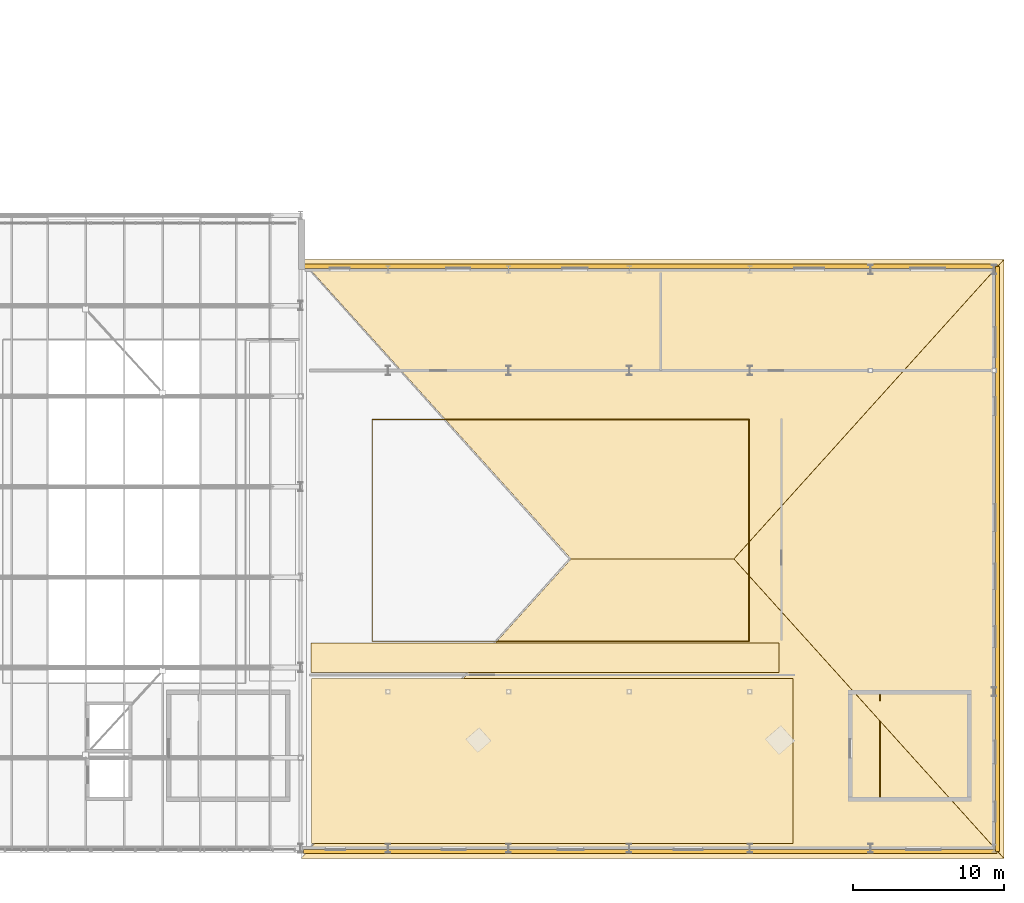
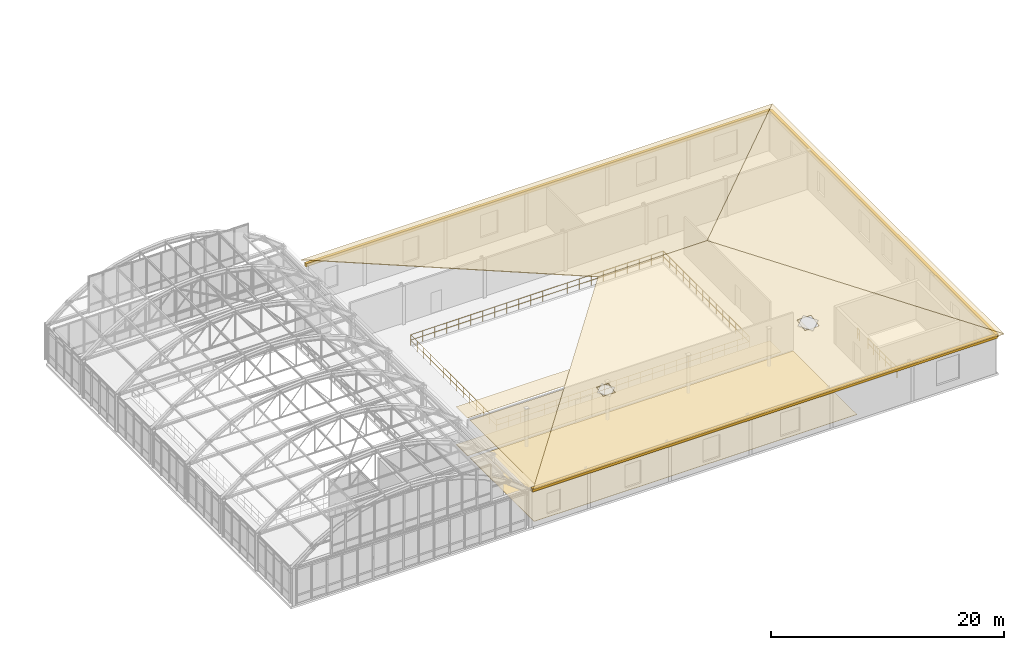
# One storey, part 148 of 148: 10 coverings, 4 railings, 2 openings.
"""IFC4 building model written with IfcOpenShell, lengths in metres."""

from ifc_helpers import new_model, si_unit, direction, frame, origin, origin_2d, place, context, subcontext, project, spatial, polyline, rectangle, circle, outline, extrude, material, layer, layer_set, type_object, element, save


model = new_model("IFC4")

# Units and contexts
model_context = context("Model", 3, precision=1e-05, world=origin(), true_north=direction((0.0, 1.0)))
body_context = subcontext(model_context, "Body", "Model", "MODEL_VIEW")
ifc_project = project(units=[si_unit("LENGTHUNIT", "METRE"), si_unit("AREAUNIT", "SQUARE_METRE"), si_unit("VOLUMEUNIT", "CUBIC_METRE"), si_unit("PLANEANGLEUNIT", "RADIAN"), si_unit("MASSUNIT", "GRAM", prefix="KILO"), si_unit("THERMODYNAMICTEMPERATUREUNIT", "KELVIN"), si_unit("POWERUNIT", "WATT")], contexts=[model_context])

# Site, building, storey
site_placement = place(None, origin())
site = spatial("IfcSite", under=ifc_project, at=site_placement, CompositionType="ELEMENT")
building_placement = place(site_placement, origin())
building = spatial("IfcBuilding", under=site, at=building_placement, Name="Solvatero Civic Police Headquarters", CompositionType="ELEMENT")
storey_placement = place(building_placement, frame((0.0, 0.0, 5.10009765625)))
storey = spatial("IfcBuildingStorey", under=building, at=storey_placement, Name="L01", CompositionType="ELEMENT", Elevation=5.10009765625)

# Coverings
ifc_material_1 = material(Name="Mineral-Fibre Acoustic Tile", Category="gypsum")
ifc_layer_1 = layer(ifc_material_1, 0.02490234375)
ifc_layer_set_1 = layer_set([ifc_layer_1], Name="Mineral-Fibre Acoustic Tile")
covering_type_1 = type_object("IfcCoveringType", Name="COV-CEIL-AC", PredefinedType="CEILING", material=ifc_layer_set_1)
covering_1_placement = place(storey_placement, frame((0.0, 0.0, 3.954833984375)))
element("IfcCovering", 1, at=covering_1_placement, inside=storey, type_object=covering_type_1, Name="Acoustic Ceiling Upper Gymnasium South Mezzanine Gallery", PredefinedType="CEILING", context=body_context, shape_type="SweptSolid", body=[
    extrude(outline(polyline([(122.8798828125, 16.47998046875), (122.8798828125, 18.419921875), (153.919921875, 18.419921875), (153.919921875, 16.47998046875), (122.8798828125, 16.47998046875)])), origin(), (0.0, 0.0, 1.0), 0.025146484375),
])
covering_2_placement = place(storey_placement, frame((0.0, 0.0, 3.954833984375)))
element("IfcCovering", 2, at=covering_2_placement, inside=storey, type_object=covering_type_1, Name="Acoustic Ceiling 120-Seat Shift Roll-Call Briefing Room", PredefinedType="CEILING", context=body_context, shape_type="SweptSolid", body=[
    extrude(outline(polyline([(122.919921875, 5.1201171875), (122.919921875, 16.080078125), (154.8798828125, 16.080078125), (154.8798828125, 5.1201171875), (122.919921875, 5.1201171875)])), origin(), (0.0, 0.0, 1.0), 0.025146484375),
])
ifc_material_2 = material(Name="Venetian Terrazzo Stone", Category="masonry")
ifc_layer_2 = layer(ifc_material_2, 0.034912109375)
ifc_layer_set_2 = layer_set([ifc_layer_2], Name="Venetian Terrazzo Stone")
covering_type_2 = type_object("IfcCoveringType", Name="COV-FLR-TER", PredefinedType="FLOORING", material=ifc_layer_set_2)
covering_3_placement = place(storey_placement, origin())
element("IfcCovering", 3, at=covering_3_placement, inside=storey, type_object=covering_type_2, Name="Flooring Upper Gymnasium South Mezzanine Gallery", PredefinedType="FLOORING", context=body_context, shape_type="SweptSolid", body=[
    extrude(outline(polyline([(122.8798828125, 16.47998046875), (122.8798828125, 18.419921875), (153.919921875, 18.419921875), (153.919921875, 16.47998046875), (122.8798828125, 16.47998046875)])), origin(), (0.0, 0.0, 1.0), 0.034912109375),
])
covering_4_placement = place(storey_placement, origin())
element("IfcCovering", 4, at=covering_4_placement, inside=storey, type_object=covering_type_2, Name="Flooring 120-Seat Shift Roll-Call Briefing Room", PredefinedType="FLOORING", context=body_context, shape_type="SweptSolid", body=[
    extrude(outline(polyline([(122.919921875, 5.1201171875), (122.919921875, 16.080078125), (154.8798828125, 16.080078125), (154.8798828125, 5.1201171875), (122.919921875, 5.1201171875)])), origin(), (0.0, 0.0, 1.0), 0.034912109375),
])

# Covering, openings
ifc_material_3 = material(Name="Lombard Terracotta Clay Tile", Category="masonry")
ifc_layer_3 = layer(ifc_material_3, 0.06005859375)
ifc_layer_set_3 = layer_set([ifc_layer_3], Name="Lombard Terracotta Clay Tile")
covering_type_3 = type_object("IfcCoveringType", Name="COV-RF-TILE", PredefinedType="ROOFING", material=ifc_layer_set_3)
covering_5_placement = place(storey_placement, frame((122.239990234375, 4.139892578125, 4.169921875), z_axis=(0.0, -0.196968985356, 0.980409719866), x_axis=(1.0, 0.0, 0.0)))
covering_5 = element("IfcCovering", 5, at=covering_5_placement, inside=storey, type_object=covering_type_3, Name="GYM Lombard Terracotta Hipped Roof Covering S", PredefinedType="ROOFING", context=body_context, shape_type="SweptSolid", body=[
    extrude(outline(polyline([(0.0, 0.0), (46.6201171875, 0.0), (28.7099609375, 20.256946682035334), (17.909912109375, 20.256946682035334), (0.0, 0.0)])), origin(), (0.0, 0.0, -1.0), 0.06005859375),
])
opening_1_placement = place(covering_5_placement, frame((11.760009765625, 8.01708984375, 0.0)))
element("IfcOpeningElement", 6, at=opening_1_placement, cuts=covering_5, Name="Opening SK-01 Cover", PredefinedType="OPENING", context=body_context, shape_type="SweptSolid", body=[
    extrude(rectangle(XDim=1.199951171875, YDim=1.199951171875, at=origin_2d()), frame((0.0, 0.0, -0.18017578125)), (0.0, 0.0, 1.0), 0.300048828125),
])
opening_2_placement = place(covering_5_placement, frame((31.760009765625, 8.01708984375, 0.0)))
element("IfcOpeningElement", 7, at=opening_2_placement, cuts=covering_5, Name="Opening SK-02 Cover", PredefinedType="OPENING", context=body_context, shape_type="SweptSolid", body=[
    extrude(rectangle(XDim=1.39990234375, YDim=1.39990234375, at=origin_2d()), frame((0.0, 0.0, -0.18017578125)), (0.0, 0.0, 1.0), 0.300048828125),
])

# Coverings
covering_6_placement = place(storey_placement, frame((168.860107421875, 43.860107421875, 4.169921875), z_axis=(0.0, 0.196968985356, 0.980409719866), x_axis=(-1.0, 0.0, 0.0)))
element("IfcCovering", 8, at=covering_6_placement, inside=storey, type_object=covering_type_3, Name="GYM Lombard Terracotta Hipped Roof Covering N", PredefinedType="ROOFING", context=body_context, shape_type="SweptSolid", body=[
    extrude(outline(polyline([(0.0, 0.0), (46.6201171875, 0.0), (28.710205078125, 20.256946682035334), (17.91015625, 20.256946682035334), (0.0, 0.0)])), origin(), (0.0, 0.0, -1.0), 0.06005859375),
])
covering_7_placement = place(storey_placement, frame((168.860107421875, 4.139892578125, 4.169921875), z_axis=(0.217447453165, 0.0, 0.976072028649), x_axis=(0.0, 1.0, 0.0)))
element("IfcCovering", 9, at=covering_7_placement, inside=storey, type_object=covering_type_3, Name="GYM Lombard Terracotta Hipped Roof Covering E", PredefinedType="ROOFING", context=body_context, shape_type="SweptSolid", body=[
    extrude(outline(polyline([(0.0, 0.0), (39.72021484375, 0.0), (19.860107421875, 18.34921575898605), (0.0, 0.0)])), origin(), (0.0, 0.0, -1.0), 0.06005859375),
])
ifc_material_4 = material(Name="Cream Limestone Ashlar", Category="masonry")
ifc_layer_4 = layer(ifc_material_4, 0.10009765625)
ifc_layer_set_4 = layer_set([ifc_layer_4], Name="Cream Limestone Ashlar")
covering_type_4 = type_object("IfcCoveringType", Name="COV-TRIM-STONE", PredefinedType="CLADDING", material=ifc_layer_set_4)
covering_8_placement = place(storey_placement, frame((145.39990234375, 4.60009765625, 3.6796875), z_axis=(0.0, 0.0, 1.0), x_axis=(1.0, 0.0, 0.0)))
element("IfcCovering", 10, at=covering_8_placement, inside=storey, type_object=covering_type_4, Name="Classical Limestone Trim TRIM-V3-L01-S", PredefinedType="CLADDING", context=body_context, shape_type="SweptSolid", body=[
    extrude(rectangle(XDim=46.0, YDim=0.280029296875, at=origin_2d()), origin(), (0.0, 0.0, 1.0), 0.340087890625),
])
covering_9_placement = place(storey_placement, frame((168.419921875, 24.0, 3.6796875), z_axis=(0.0, 0.0, 1.0), x_axis=(1.0, 0.0, 0.0)))
element("IfcCovering", 11, at=covering_9_placement, inside=storey, type_object=covering_type_4, Name="Classical Limestone Trim TRIM-V3-L01-E", PredefinedType="CLADDING", context=body_context, shape_type="SweptSolid", body=[
    extrude(rectangle(XDim=0.280029296875, YDim=38.800048828125, at=origin_2d()), origin(), (0.0, 0.0, 1.0), 0.340087890625),
])
covering_10_placement = place(storey_placement, frame((145.39990234375, 43.419921875, 3.6796875), z_axis=(0.0, 0.0, 1.0), x_axis=(1.0, 0.0, 0.0)))
element("IfcCovering", 12, at=covering_10_placement, inside=storey, type_object=covering_type_4, Name="Classical Limestone Trim TRIM-V3-L01-N", PredefinedType="CLADDING", context=body_context, shape_type="SweptSolid", body=[
    extrude(rectangle(XDim=46.0, YDim=0.280029296875, at=origin_2d()), origin(), (0.0, 0.0, 1.0), 0.340087890625),
])

# Railings
ifc_material_5 = material(Name="Painted Galvanized Steel", Category="steel")
railing_type = type_object("IfcRailingType", Name="RL-GRD-110", PredefinedType="GUARDRAIL", material=ifc_material_5)
railing_1_placement = place(storey_placement, frame((160.6298828125, 8.2099609375, 0.0)))
element("IfcRailing", 13, at=railing_1_placement, inside=storey, type_object=railing_type, Name="ST-C6 Top Landing Well Guardrail", PredefinedType="GUARDRAIL", context=body_context, shape_type="SweptSolid", body=[
    extrude(circle(Radius=0.02392578125, at=origin_2d()), frame((0.0, 0.0, 1.09619140625), z_axis=(0.0, 1.0, 0.0), x_axis=(-1.0, 0.0, 0.0)), (0.0, 0.0, 1.0), 5.010009765625),
    extrude(circle(Radius=0.02392578125, at=origin_2d()), frame((0.0, 0.0, 0.5361328125), z_axis=(0.0, 1.0, 0.0), x_axis=(-1.0, 0.0, 0.0)), (0.0, 0.0, 1.0), 5.010009765625),
    extrude(circle(Radius=0.02099609375, at=origin_2d()), origin(), (0.0, 0.0, 1.0), 1.072021484375),
    extrude(circle(Radius=0.02099609375, at=origin_2d()), frame((0.0, 1.001953125, 0.0)), (0.0, 0.0, 1.0), 1.072021484375),
    extrude(circle(Radius=0.02099609375, at=origin_2d()), frame((0.0, 2.00390625, 0.0)), (0.0, 0.0, 1.0), 1.072021484375),
    extrude(circle(Radius=0.02099609375, at=origin_2d()), frame((0.0, 3.006103515625, 0.0)), (0.0, 0.0, 1.0), 1.072021484375),
    extrude(circle(Radius=0.02099609375, at=origin_2d()), frame((0.0, 4.008056640625, 0.0)), (0.0, 0.0, 1.0), 1.072021484375),
    extrude(circle(Radius=0.02099609375, at=origin_2d()), frame((0.0, 5.010009765625, 0.0)), (0.0, 0.0, 1.0), 1.072021484375),
])
railing_2_placement = place(storey_placement, frame((160.6298828125, 14.6298828125, 0.0)))
element("IfcRailing", 14, at=railing_2_placement, inside=storey, type_object=railing_type, Name="ST-C6 Top Landing North Slot Guardrail", PredefinedType="GUARDRAIL", context=body_context, shape_type="SweptSolid", body=[
    extrude(circle(Radius=0.02392578125, at=origin_2d()), frame((0.0, 0.0, 1.09619140625), z_axis=(0.0, 1.0, 0.0), x_axis=(-1.0, 0.0, 0.0)), (0.0, 0.0, 1.0), 0.360107421875),
    extrude(circle(Radius=0.02392578125, at=origin_2d()), frame((0.0, 0.0, 0.5361328125), z_axis=(0.0, 1.0, 0.0), x_axis=(-1.0, 0.0, 0.0)), (0.0, 0.0, 1.0), 0.360107421875),
    extrude(circle(Radius=0.02099609375, at=origin_2d()), origin(), (0.0, 0.0, 1.0), 1.072021484375),
    extrude(circle(Radius=0.02099609375, at=origin_2d()), frame((0.0, 0.360107421875, 0.0)), (0.0, 0.0, 1.0), 1.072021484375),
])
railing_3_placement = place(storey_placement, frame((126.949951171875, 18.550048828125, 0.0)))
element("IfcRailing", 15, at=railing_3_placement, inside=storey, type_object=railing_type, Name="L01 Double-Height Gallery Guardrail RL-VOID-L01-GYM SE", PredefinedType="GUARDRAIL", context=body_context, shape_type="SweptSolid", body=[
    extrude(circle(Radius=0.02392578125, at=origin_2d()), frame((0.0, 0.0, 1.09619140625), z_axis=(1.0, 0.0, 0.0), x_axis=(0.0, 1.0, 0.0)), (0.0, 0.0, 1.0), 25.0),
    extrude(circle(Radius=0.02392578125, at=origin_2d()), frame((0.0, 0.0, 0.5361328125), z_axis=(1.0, 0.0, 0.0), x_axis=(0.0, 1.0, 0.0)), (0.0, 0.0, 1.0), 25.0),
    extrude(circle(Radius=0.02392578125, at=origin_2d()), frame((25.0, 0.0, 1.09619140625), z_axis=(0.0, 1.0, 0.0), x_axis=(-1.0, 0.0, 0.0)), (0.0, 0.0, 1.0), 14.699951171875),
    extrude(circle(Radius=0.02392578125, at=origin_2d()), frame((25.0, 0.0, 0.5361328125), z_axis=(0.0, 1.0, 0.0), x_axis=(-1.0, 0.0, 0.0)), (0.0, 0.0, 1.0), 14.699951171875),
    extrude(circle(Radius=0.02099609375, at=origin_2d()), origin(), (0.0, 0.0, 1.0), 1.072021484375),
    extrude(circle(Radius=0.02099609375, at=origin_2d()), frame((1.1904296875, 0.0, 0.0)), (0.0, 0.0, 1.0), 1.072021484375),
    extrude(circle(Radius=0.02099609375, at=origin_2d()), frame((2.380859375, 0.0, 0.0)), (0.0, 0.0, 1.0), 1.072021484375),
    extrude(circle(Radius=0.02099609375, at=origin_2d()), frame((3.571533203125, 0.0, 0.0)), (0.0, 0.0, 1.0), 1.072021484375),
    extrude(circle(Radius=0.02099609375, at=origin_2d()), frame((4.761962890625, 0.0, 0.0)), (0.0, 0.0, 1.0), 1.072021484375),
    extrude(circle(Radius=0.02099609375, at=origin_2d()), frame((5.952392578125, 0.0, 0.0)), (0.0, 0.0, 1.0), 1.072021484375),
    extrude(circle(Radius=0.02099609375, at=origin_2d()), frame((7.142822265625, 0.0, 0.0)), (0.0, 0.0, 1.0), 1.072021484375),
    extrude(circle(Radius=0.02099609375, at=origin_2d()), frame((8.333251953125, 0.0, 0.0)), (0.0, 0.0, 1.0), 1.072021484375),
    extrude(circle(Radius=0.02099609375, at=origin_2d()), frame((9.52392578125, 0.0, 0.0)), (0.0, 0.0, 1.0), 1.072021484375),
    extrude(circle(Radius=0.02099609375, at=origin_2d()), frame((10.71435546875, 0.0, 0.0)), (0.0, 0.0, 1.0), 1.072021484375),
    extrude(circle(Radius=0.02099609375, at=origin_2d()), frame((11.90478515625, 0.0, 0.0)), (0.0, 0.0, 1.0), 1.072021484375),
    extrude(circle(Radius=0.02099609375, at=origin_2d()), frame((13.09521484375, 0.0, 0.0)), (0.0, 0.0, 1.0), 1.072021484375),
    extrude(circle(Radius=0.02099609375, at=origin_2d()), frame((14.28564453125, 0.0, 0.0)), (0.0, 0.0, 1.0), 1.072021484375),
    extrude(circle(Radius=0.02099609375, at=origin_2d()), frame((15.47607421875, 0.0, 0.0)), (0.0, 0.0, 1.0), 1.072021484375),
    extrude(circle(Radius=0.02099609375, at=origin_2d()), frame((16.666748046875, 0.0, 0.0)), (0.0, 0.0, 1.0), 1.072021484375),
    extrude(circle(Radius=0.02099609375, at=origin_2d()), frame((17.857177734375, 0.0, 0.0)), (0.0, 0.0, 1.0), 1.072021484375),
    extrude(circle(Radius=0.02099609375, at=origin_2d()), frame((19.047607421875, 0.0, 0.0)), (0.0, 0.0, 1.0), 1.072021484375),
    extrude(circle(Radius=0.02099609375, at=origin_2d()), frame((20.238037109375, 0.0, 0.0)), (0.0, 0.0, 1.0), 1.072021484375),
    extrude(circle(Radius=0.02099609375, at=origin_2d()), frame((21.428466796875, 0.0, 0.0)), (0.0, 0.0, 1.0), 1.072021484375),
    extrude(circle(Radius=0.02099609375, at=origin_2d()), frame((22.619140625, 0.0, 0.0)), (0.0, 0.0, 1.0), 1.072021484375),
    extrude(circle(Radius=0.02099609375, at=origin_2d()), frame((23.8095703125, 0.0, 0.0)), (0.0, 0.0, 1.0), 1.072021484375),
    extrude(circle(Radius=0.02099609375, at=origin_2d()), frame((25.0, 0.0, 0.0)), (0.0, 0.0, 1.0), 1.072021484375),
    extrude(circle(Radius=0.02099609375, at=origin_2d()), frame((25.0, 1.130859375, 0.0)), (0.0, 0.0, 1.0), 1.072021484375),
    extrude(circle(Radius=0.02099609375, at=origin_2d()), frame((25.0, 2.261474609375, 0.0)), (0.0, 0.0, 1.0), 1.072021484375),
    extrude(circle(Radius=0.02099609375, at=origin_2d()), frame((25.0, 3.392333984375, 0.0)), (0.0, 0.0, 1.0), 1.072021484375),
    extrude(circle(Radius=0.02099609375, at=origin_2d()), frame((25.0, 4.52294921875, 0.0)), (0.0, 0.0, 1.0), 1.072021484375),
    extrude(circle(Radius=0.02099609375, at=origin_2d()), frame((25.0, 5.65380859375, 0.0)), (0.0, 0.0, 1.0), 1.072021484375),
    extrude(circle(Radius=0.02099609375, at=origin_2d()), frame((25.0, 6.78466796875, 0.0)), (0.0, 0.0, 1.0), 1.072021484375),
    extrude(circle(Radius=0.02099609375, at=origin_2d()), frame((25.0, 7.915283203125, 0.0)), (0.0, 0.0, 1.0), 1.072021484375),
    extrude(circle(Radius=0.02099609375, at=origin_2d()), frame((25.0, 9.046142578125, 0.0)), (0.0, 0.0, 1.0), 1.072021484375),
    extrude(circle(Radius=0.02099609375, at=origin_2d()), frame((25.0, 10.177001953125, 0.0)), (0.0, 0.0, 1.0), 1.072021484375),
    extrude(circle(Radius=0.02099609375, at=origin_2d()), frame((25.0, 11.3076171875, 0.0)), (0.0, 0.0, 1.0), 1.072021484375),
    extrude(circle(Radius=0.02099609375, at=origin_2d()), frame((25.0, 12.4384765625, 0.0)), (0.0, 0.0, 1.0), 1.072021484375),
    extrude(circle(Radius=0.02099609375, at=origin_2d()), frame((25.0, 13.569091796875, 0.0)), (0.0, 0.0, 1.0), 1.072021484375),
    extrude(circle(Radius=0.02099609375, at=origin_2d()), frame((25.0, 14.699951171875, 0.0)), (0.0, 0.0, 1.0), 1.072021484375),
])
railing_4_placement = place(storey_placement, frame((151.949951171875, 33.25, 0.0)))
element("IfcRailing", 16, at=railing_4_placement, inside=storey, type_object=railing_type, Name="L01 Double-Height Gallery Guardrail RL-VOID-L01-GYM NW", PredefinedType="GUARDRAIL", context=body_context, shape_type="SweptSolid", body=[
    extrude(circle(Radius=0.02392578125, at=origin_2d()), frame((0.0, 0.0, 1.09619140625), z_axis=(-1.0, 0.0, 0.0), x_axis=(0.0, -1.0, 0.0)), (0.0, 0.0, 1.0), 25.0),
    extrude(circle(Radius=0.02392578125, at=origin_2d()), frame((0.0, 0.0, 0.5361328125), z_axis=(-1.0, 0.0, 0.0), x_axis=(0.0, -1.0, 0.0)), (0.0, 0.0, 1.0), 25.0),
    extrude(circle(Radius=0.02392578125, at=origin_2d()), frame((-25.0, 0.0, 1.09619140625), z_axis=(0.0, -1.0, 0.0), x_axis=(1.0, 0.0, 0.0)), (0.0, 0.0, 1.0), 14.679931640625),
    extrude(circle(Radius=0.02392578125, at=origin_2d()), frame((-25.0, 0.0, 0.5361328125), z_axis=(0.0, -1.0, 0.0), x_axis=(1.0, 0.0, 0.0)), (0.0, 0.0, 1.0), 14.679931640625),
    extrude(circle(Radius=0.02099609375, at=origin_2d()), origin(), (0.0, 0.0, 1.0), 1.072021484375),
    extrude(circle(Radius=0.02099609375, at=origin_2d()), frame((-1.1904296875, 0.0, 0.0)), (0.0, 0.0, 1.0), 1.072021484375),
    extrude(circle(Radius=0.02099609375, at=origin_2d()), frame((-2.380859375, 0.0, 0.0)), (0.0, 0.0, 1.0), 1.072021484375),
    extrude(circle(Radius=0.02099609375, at=origin_2d()), frame((-3.571533203125, 0.0, 0.0)), (0.0, 0.0, 1.0), 1.072021484375),
    extrude(circle(Radius=0.02099609375, at=origin_2d()), frame((-4.761962890625, 0.0, 0.0)), (0.0, 0.0, 1.0), 1.072021484375),
    extrude(circle(Radius=0.02099609375, at=origin_2d()), frame((-5.952392578125, 0.0, 0.0)), (0.0, 0.0, 1.0), 1.072021484375),
    extrude(circle(Radius=0.02099609375, at=origin_2d()), frame((-7.142822265625, 0.0, 0.0)), (0.0, 0.0, 1.0), 1.072021484375),
    extrude(circle(Radius=0.02099609375, at=origin_2d()), frame((-8.333251953125, 0.0, 0.0)), (0.0, 0.0, 1.0), 1.072021484375),
    extrude(circle(Radius=0.02099609375, at=origin_2d()), frame((-9.52392578125, 0.0, 0.0)), (0.0, 0.0, 1.0), 1.072021484375),
    extrude(circle(Radius=0.02099609375, at=origin_2d()), frame((-10.71435546875, 0.0, 0.0)), (0.0, 0.0, 1.0), 1.072021484375),
    extrude(circle(Radius=0.02099609375, at=origin_2d()), frame((-11.90478515625, 0.0, 0.0)), (0.0, 0.0, 1.0), 1.072021484375),
    extrude(circle(Radius=0.02099609375, at=origin_2d()), frame((-13.09521484375, 0.0, 0.0)), (0.0, 0.0, 1.0), 1.072021484375),
    extrude(circle(Radius=0.02099609375, at=origin_2d()), frame((-14.28564453125, 0.0, 0.0)), (0.0, 0.0, 1.0), 1.072021484375),
    extrude(circle(Radius=0.02099609375, at=origin_2d()), frame((-15.47607421875, 0.0, 0.0)), (0.0, 0.0, 1.0), 1.072021484375),
    extrude(circle(Radius=0.02099609375, at=origin_2d()), frame((-16.666748046875, 0.0, 0.0)), (0.0, 0.0, 1.0), 1.072021484375),
    extrude(circle(Radius=0.02099609375, at=origin_2d()), frame((-17.857177734375, 0.0, 0.0)), (0.0, 0.0, 1.0), 1.072021484375),
    extrude(circle(Radius=0.02099609375, at=origin_2d()), frame((-19.047607421875, 0.0, 0.0)), (0.0, 0.0, 1.0), 1.072021484375),
    extrude(circle(Radius=0.02099609375, at=origin_2d()), frame((-20.238037109375, 0.0, 0.0)), (0.0, 0.0, 1.0), 1.072021484375),
    extrude(circle(Radius=0.02099609375, at=origin_2d()), frame((-21.428466796875, 0.0, 0.0)), (0.0, 0.0, 1.0), 1.072021484375),
    extrude(circle(Radius=0.02099609375, at=origin_2d()), frame((-22.619140625, 0.0, 0.0)), (0.0, 0.0, 1.0), 1.072021484375),
    extrude(circle(Radius=0.02099609375, at=origin_2d()), frame((-23.8095703125, 0.0, 0.0)), (0.0, 0.0, 1.0), 1.072021484375),
    extrude(circle(Radius=0.02099609375, at=origin_2d()), frame((-25.0, 0.0, 0.0)), (0.0, 0.0, 1.0), 1.072021484375),
    extrude(circle(Radius=0.02099609375, at=origin_2d()), frame((-25.0, -1.129150390625, 0.0)), (0.0, 0.0, 1.0), 1.072021484375),
    extrude(circle(Radius=0.02099609375, at=origin_2d()), frame((-25.0, -2.258544921875, 0.0)), (0.0, 0.0, 1.0), 1.072021484375),
    extrude(circle(Radius=0.02099609375, at=origin_2d()), frame((-25.0, -3.3876953125, 0.0)), (0.0, 0.0, 1.0), 1.072021484375),
    extrude(circle(Radius=0.02099609375, at=origin_2d()), frame((-25.0, -4.516845703125, 0.0)), (0.0, 0.0, 1.0), 1.072021484375),
    extrude(circle(Radius=0.02099609375, at=origin_2d()), frame((-25.0, -5.646240234375, 0.0)), (0.0, 0.0, 1.0), 1.072021484375),
    extrude(circle(Radius=0.02099609375, at=origin_2d()), frame((-25.0, -6.775390625, 0.0)), (0.0, 0.0, 1.0), 1.072021484375),
    extrude(circle(Radius=0.02099609375, at=origin_2d()), frame((-25.0, -7.904541015625, 0.0)), (0.0, 0.0, 1.0), 1.072021484375),
    extrude(circle(Radius=0.02099609375, at=origin_2d()), frame((-25.0, -9.03369140625, 0.0)), (0.0, 0.0, 1.0), 1.072021484375),
    extrude(circle(Radius=0.02099609375, at=origin_2d()), frame((-25.0, -10.1630859375, 0.0)), (0.0, 0.0, 1.0), 1.072021484375),
    extrude(circle(Radius=0.02099609375, at=origin_2d()), frame((-25.0, -11.292236328125, 0.0)), (0.0, 0.0, 1.0), 1.072021484375),
    extrude(circle(Radius=0.02099609375, at=origin_2d()), frame((-25.0, -12.42138671875, 0.0)), (0.0, 0.0, 1.0), 1.072021484375),
    extrude(circle(Radius=0.02099609375, at=origin_2d()), frame((-25.0, -13.55078125, 0.0)), (0.0, 0.0, 1.0), 1.072021484375),
    extrude(circle(Radius=0.02099609375, at=origin_2d()), frame((-25.0, -14.679931640625, 0.0)), (0.0, 0.0, 1.0), 1.072021484375),
])

save(model, "model.ifc")
